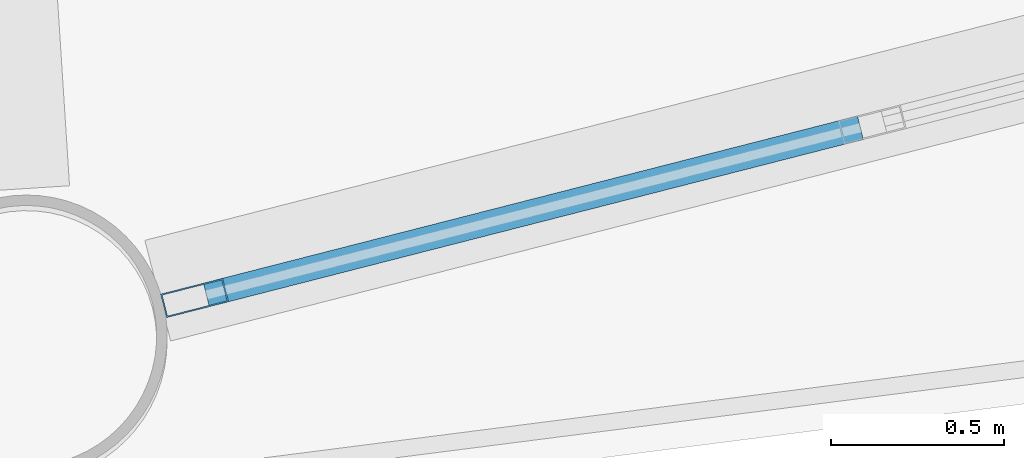
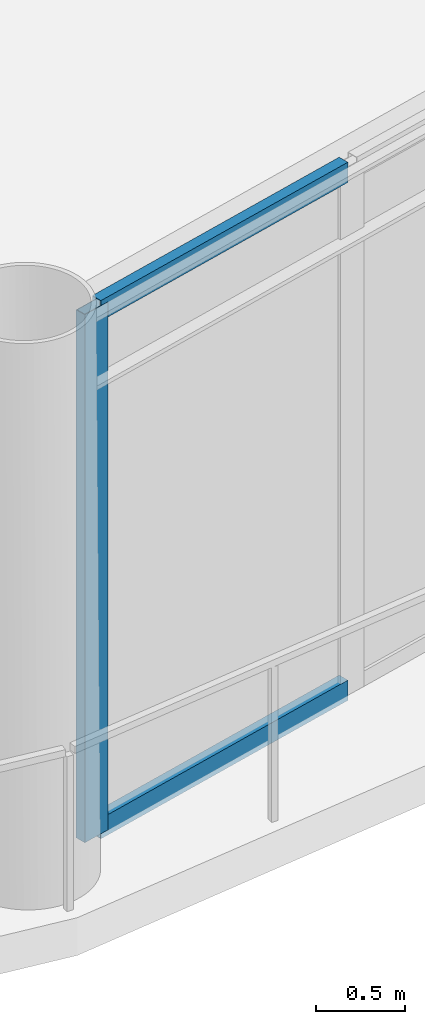
# One storey, part 5 of 26: 3 members, 1 element without a shape of its own.
"""IFC4 building model written with IfcOpenShell, lengths in metres."""

from ifc_helpers import new_model, si_unit, direction, frame, origin, origin_2d, place, context, subcontext, project, spatial, hollow_rectangle, extrude, material, layer, layer_set, material_profile, profile_set, type_object, element, aggregate, save


model = new_model("IFC4")

# Units and contexts
model_context = context("Model", 3, precision=1e-05, world=origin(), true_north=direction((0.0, 1.0)))
body_context = subcontext(model_context, "Body", "Model", "MODEL_VIEW")
ifc_project = project(units=[si_unit("LENGTHUNIT", "METRE"), si_unit("AREAUNIT", "SQUARE_METRE"), si_unit("VOLUMEUNIT", "CUBIC_METRE"), si_unit("PLANEANGLEUNIT", "RADIAN"), si_unit("MASSUNIT", "GRAM", prefix="KILO")], contexts=[model_context])

# Site, building, storey
site_placement = place(None, origin())
site = spatial("IfcSite", under=ifc_project, at=site_placement, CompositionType="ELEMENT")
building_placement = place(site_placement, origin())
building = spatial("IfcBuilding", under=site, at=building_placement, Name="Varnakorn Sky Granary", CompositionType="ELEMENT")
storey_placement = place(building_placement, frame((0.0, 0.0, 87.60009765625)))
storey = spatial("IfcBuildingStorey", under=building, at=storey_placement, Name="L21", CompositionType="ELEMENT", Elevation=87.60009765625)

# Curtain wall, members
ifc_material = material(Name="Anodised Bronze Aluminium Alloy 6063-T6", Category="aluminium")
ifc_layer = layer(ifc_material, 0.18994140625, Name="Anodised Bronze Aluminium Alloy 6063-T6")
ifc_layer_set = layer_set([ifc_layer], Name="Anodised Bronze Aluminium Alloy 6063-T6")
curtain_wall_type = type_object("IfcCurtainWallType", Name="CW-FRM-1", PredefinedType="USERDEFINED", material=ifc_layer_set)
curtain_wall_placement = place(storey_placement, origin())
curtain_wall = element("IfcCurtainWall", 1, at=curtain_wall_placement, inside=storey, type_object=curtain_wall_type, Name="Unitised Curtain Wall CW3 CW-L21-B10", ObjectType="CURTAIN WALL", PredefinedType="USERDEFINED")
ifc_material_profile_1 = material_profile(ifc_material, hollow_rectangle(XDim=0.070068359375, YDim=0.18505859375, WallThickness=0.00390625, at=origin_2d()), Name="ALU MULL 70x185")
ifc_profile_set_1 = profile_set([ifc_material_profile_1], Name="Anodised Bronze Aluminium Alloy 6063-T6")
member_type_1 = type_object("IfcMemberType", Name="CW-FRM-1-MULL", PredefinedType="MULLION", material=ifc_profile_set_1)
member_1_placement = place(storey_placement, frame((-1.01416015625, -19.725830078125, 0.0), z_axis=(0.0, 0.0, 1.0), x_axis=(0.247728719051, -0.96882943894, 0.0)))
member_1 = element("IfcMember", 2, at=member_1_placement, type_object=member_type_1, Name="CW3 mullion 6", PredefinedType="MULLION", context=body_context, shape_type="SweptSolid", body=[
    extrude(hollow_rectangle(XDim=0.070068359375, YDim=0.18505859375, WallThickness=0.00390625, at=origin_2d()), origin(), (0.0, 0.0, 1.0), 3.639892578125),
])
ifc_material_profile_2 = material_profile(ifc_material, hollow_rectangle(XDim=0.070068359375, YDim=0.139892578125, WallThickness=0.00341796875, at=origin_2d()), Name="ALU TRAN 70x140")
ifc_profile_set_2 = profile_set([ifc_material_profile_2], Name="Anodised Bronze Aluminium Alloy 6063-T6")
member_type_2 = type_object("IfcMemberType", Name="CW-FRM-1-TRAN", PredefinedType="USERDEFINED", material=ifc_profile_set_2)
member_2_placement = place(storey_placement, frame((0.90869140625, -19.234130859375, 0.034912109375), z_axis=(-0.968839751622, -0.24768838422, 0.0), x_axis=(0.24768838422, -0.968839751622, 0.0)))
member_2 = element("IfcMember", 3, at=member_2_placement, type_object=member_type_2, Name="CW3 transom 5.1", ObjectType="TRANSOM", PredefinedType="USERDEFINED", context=body_context, shape_type="SweptSolid", body=[
    extrude(hollow_rectangle(XDim=0.070068359375, YDim=0.139892578125, WallThickness=0.00341796875, at=origin_2d()), origin(), (0.0, 0.0, 1.0), 1.94970703125),
])
member_3_placement = place(storey_placement, frame((0.90869140625, -19.234130859375, 3.60498046875), z_axis=(-0.968839751622, -0.24768838422, 0.0), x_axis=(0.24768838422, -0.968839751622, 0.0)))
member_3 = element("IfcMember", 4, at=member_3_placement, type_object=member_type_2, Name="CW3 transom 5.2", ObjectType="TRANSOM", PredefinedType="USERDEFINED", context=body_context, shape_type="SweptSolid", body=[
    extrude(hollow_rectangle(XDim=0.070068359375, YDim=0.139892578125, WallThickness=0.00341796875, at=origin_2d()), origin(), (0.0, 0.0, 1.0), 1.94970703125),
])
aggregate(curtain_wall, [member_1, member_2, member_3])

save(model, "model.ifc")
